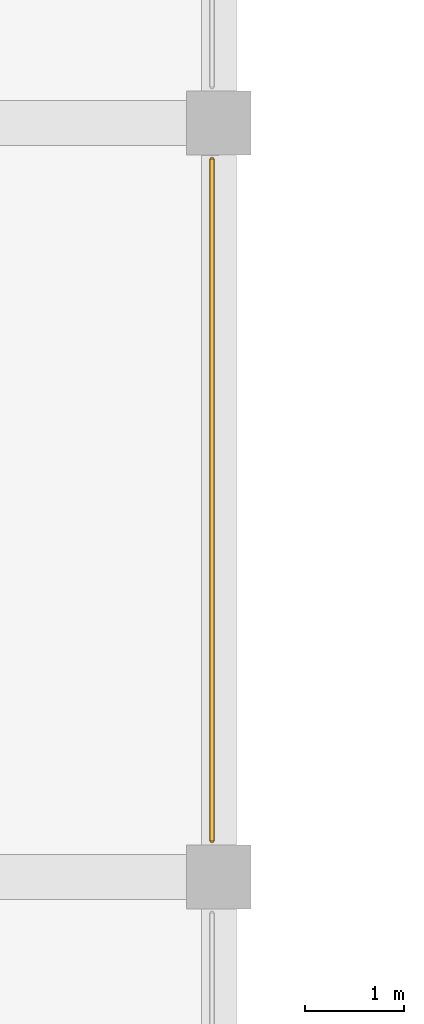
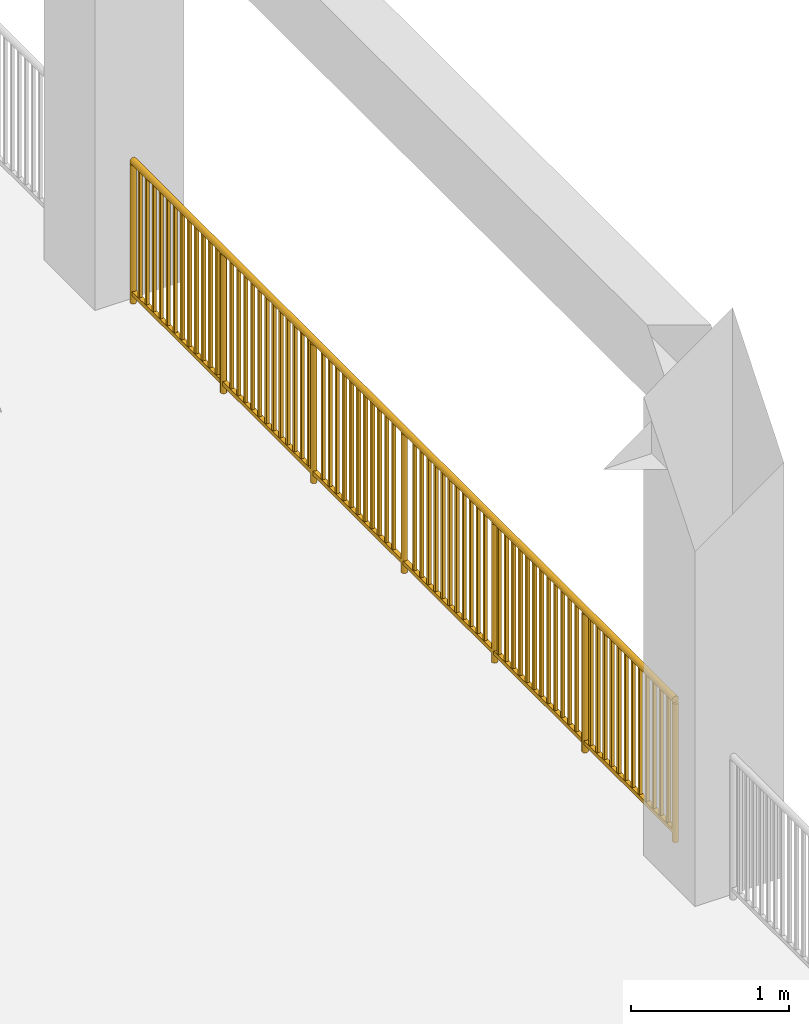
# One storey, part 57 of 63: 1 railing.
"""IFC4 building model written with IfcOpenShell, lengths in metres."""

from ifc_helpers import new_model, si_unit, direction, frame, origin, origin_2d, place, context, subcontext, project, spatial, rectangle, circle, extrude, material, type_object, element, save


model = new_model("IFC4")

# Units and contexts
model_context = context("Model", 3, precision=1e-05, world=origin(), true_north=direction((0.0, 1.0)))
body_context = subcontext(model_context, "Body", "Model", "MODEL_VIEW")
ifc_project = project(units=[si_unit("LENGTHUNIT", "METRE"), si_unit("AREAUNIT", "SQUARE_METRE"), si_unit("VOLUMEUNIT", "CUBIC_METRE"), si_unit("PLANEANGLEUNIT", "RADIAN"), si_unit("MASSUNIT", "GRAM", prefix="KILO")], contexts=[model_context])

# Site, building, storey
site_placement = place(None, origin())
site = spatial("IfcSite", under=ifc_project, at=site_placement, CompositionType="ELEMENT")
building_placement = place(site_placement, origin())
building = spatial("IfcBuilding", under=site, at=building_placement, Name="Zantavel Square City Hall", CompositionType="ELEMENT")
storey_placement = place(building_placement, frame((0.0, 0.0, 14.699951171875)))
storey = spatial("IfcBuildingStorey", under=building, at=storey_placement, Name="L04", CompositionType="ELEMENT", Elevation=14.699951171875)

# Railing
ifc_material = material(Name="Steel ASTM A500 Grade B", Category="steel")
railing_type = type_object("IfcRailingType", Name="Classical Stone & Steel Terrace Balustrade 1100mm", PredefinedType="BALUSTRADE", material=ifc_material)
railing_placement = place(storey_placement, frame((111.929931640625, 45.235107421875, 0.0)))
element("IfcRailing", 1, at=railing_placement, inside=storey, type_object=railing_type, Name="L04 Terrace Balustrade 042", PredefinedType="BALUSTRADE", context=body_context, shape_type="SweptSolid", body=[
    extrude(circle(Radius=0.02392578125, at=origin_2d()), frame((0.0, 0.0, 1.09619140625), z_axis=(0.0, -1.0, 0.0), x_axis=(1.0, 0.0, 0.0)), (0.0, 0.0, 1.0), 6.8701171875),
    extrude(rectangle(XDim=0.031982421875, YDim=0.031982421875, at=origin_2d()), frame((0.0, 0.0, 0.080078125), z_axis=(0.0, -1.0, 0.0), x_axis=(1.0, 0.0, 0.0)), (0.0, 0.0, 1.0), 6.8701171875),
    extrude(rectangle(XDim=0.02197265625, YDim=0.02197265625, at=origin_2d()), frame((0.0, -0.089111328125, 0.080078125)), (0.0, 0.0, 1.0), 0.991943359375),
    extrude(rectangle(XDim=0.02197265625, YDim=0.02197265625, at=origin_2d()), frame((0.0, -0.178466796875, 0.080078125)), (0.0, 0.0, 1.0), 0.991943359375),
    extrude(rectangle(XDim=0.02197265625, YDim=0.02197265625, at=origin_2d()), frame((0.0, -0.267578125, 0.080078125)), (0.0, 0.0, 1.0), 0.991943359375),
    extrude(rectangle(XDim=0.02197265625, YDim=0.02197265625, at=origin_2d()), frame((0.0, -0.35693359375, 0.080078125)), (0.0, 0.0, 1.0), 0.991943359375),
    extrude(rectangle(XDim=0.02197265625, YDim=0.02197265625, at=origin_2d()), frame((0.0, -0.446044921875, 0.080078125)), (0.0, 0.0, 1.0), 0.991943359375),
    extrude(rectangle(XDim=0.02197265625, YDim=0.02197265625, at=origin_2d()), frame((0.0, -0.535400390625, 0.080078125)), (0.0, 0.0, 1.0), 0.991943359375),
    extrude(rectangle(XDim=0.02197265625, YDim=0.02197265625, at=origin_2d()), frame((0.0, -0.62451171875, 0.080078125)), (0.0, 0.0, 1.0), 0.991943359375),
    extrude(rectangle(XDim=0.02197265625, YDim=0.02197265625, at=origin_2d()), frame((0.0, -0.7138671875, 0.080078125)), (0.0, 0.0, 1.0), 0.991943359375),
    extrude(rectangle(XDim=0.02197265625, YDim=0.02197265625, at=origin_2d()), frame((0.0, -0.802978515625, 0.080078125)), (0.0, 0.0, 1.0), 0.991943359375),
    extrude(rectangle(XDim=0.02197265625, YDim=0.02197265625, at=origin_2d()), frame((0.0, -0.892333984375, 0.080078125)), (0.0, 0.0, 1.0), 0.991943359375),
    extrude(rectangle(XDim=0.02197265625, YDim=0.02197265625, at=origin_2d()), frame((0.0, -0.9814453125, 0.080078125)), (0.0, 0.0, 1.0), 0.991943359375),
    extrude(rectangle(XDim=0.02197265625, YDim=0.02197265625, at=origin_2d()), frame((0.0, -1.070556640625, 0.080078125)), (0.0, 0.0, 1.0), 0.991943359375),
    extrude(rectangle(XDim=0.02197265625, YDim=0.02197265625, at=origin_2d()), frame((0.0, -1.2490234375, 0.080078125)), (0.0, 0.0, 1.0), 0.991943359375),
    extrude(rectangle(XDim=0.02197265625, YDim=0.02197265625, at=origin_2d()), frame((0.0, -1.33837890625, 0.080078125)), (0.0, 0.0, 1.0), 0.991943359375),
    extrude(rectangle(XDim=0.02197265625, YDim=0.02197265625, at=origin_2d()), frame((0.0, -1.427490234375, 0.080078125)), (0.0, 0.0, 1.0), 0.991943359375),
    extrude(rectangle(XDim=0.02197265625, YDim=0.02197265625, at=origin_2d()), frame((0.0, -1.516845703125, 0.080078125)), (0.0, 0.0, 1.0), 0.991943359375),
    extrude(rectangle(XDim=0.02197265625, YDim=0.02197265625, at=origin_2d()), frame((0.0, -1.60595703125, 0.080078125)), (0.0, 0.0, 1.0), 0.991943359375),
    extrude(rectangle(XDim=0.02197265625, YDim=0.02197265625, at=origin_2d()), frame((0.0, -1.6953125, 0.080078125)), (0.0, 0.0, 1.0), 0.991943359375),
    extrude(rectangle(XDim=0.02197265625, YDim=0.02197265625, at=origin_2d()), frame((0.0, -1.784423828125, 0.080078125)), (0.0, 0.0, 1.0), 0.991943359375),
    extrude(rectangle(XDim=0.02197265625, YDim=0.02197265625, at=origin_2d()), frame((0.0, -1.873779296875, 0.080078125)), (0.0, 0.0, 1.0), 0.991943359375),
    extrude(rectangle(XDim=0.02197265625, YDim=0.02197265625, at=origin_2d()), frame((0.0, -1.962890625, 0.080078125)), (0.0, 0.0, 1.0), 0.991943359375),
    extrude(rectangle(XDim=0.02197265625, YDim=0.02197265625, at=origin_2d()), frame((0.0, -2.052001953125, 0.080078125)), (0.0, 0.0, 1.0), 0.991943359375),
    extrude(rectangle(XDim=0.02197265625, YDim=0.02197265625, at=origin_2d()), frame((0.0, -2.141357421875, 0.080078125)), (0.0, 0.0, 1.0), 0.991943359375),
    extrude(rectangle(XDim=0.02197265625, YDim=0.02197265625, at=origin_2d()), frame((0.0, -2.23046875, 0.080078125)), (0.0, 0.0, 1.0), 0.991943359375),
    extrude(rectangle(XDim=0.02197265625, YDim=0.02197265625, at=origin_2d()), frame((0.0, -2.408935546875, 0.080078125)), (0.0, 0.0, 1.0), 0.991943359375),
    extrude(rectangle(XDim=0.02197265625, YDim=0.02197265625, at=origin_2d()), frame((0.0, -2.498291015625, 0.080078125)), (0.0, 0.0, 1.0), 0.991943359375),
    extrude(rectangle(XDim=0.02197265625, YDim=0.02197265625, at=origin_2d()), frame((0.0, -2.58740234375, 0.080078125)), (0.0, 0.0, 1.0), 0.991943359375),
    extrude(rectangle(XDim=0.02197265625, YDim=0.02197265625, at=origin_2d()), frame((0.0, -2.6767578125, 0.080078125)), (0.0, 0.0, 1.0), 0.991943359375),
    extrude(rectangle(XDim=0.02197265625, YDim=0.02197265625, at=origin_2d()), frame((0.0, -2.765869140625, 0.080078125)), (0.0, 0.0, 1.0), 0.991943359375),
    extrude(rectangle(XDim=0.02197265625, YDim=0.02197265625, at=origin_2d()), frame((0.0, -2.855224609375, 0.080078125)), (0.0, 0.0, 1.0), 0.991943359375),
    extrude(rectangle(XDim=0.02197265625, YDim=0.02197265625, at=origin_2d()), frame((0.0, -2.9443359375, 0.080078125)), (0.0, 0.0, 1.0), 0.991943359375),
    extrude(rectangle(XDim=0.02197265625, YDim=0.02197265625, at=origin_2d()), frame((0.0, -3.033447265625, 0.080078125)), (0.0, 0.0, 1.0), 0.991943359375),
    extrude(rectangle(XDim=0.02197265625, YDim=0.02197265625, at=origin_2d()), frame((0.0, -3.122802734375, 0.080078125)), (0.0, 0.0, 1.0), 0.991943359375),
    extrude(rectangle(XDim=0.02197265625, YDim=0.02197265625, at=origin_2d()), frame((0.0, -3.2119140625, 0.080078125)), (0.0, 0.0, 1.0), 0.991943359375),
    extrude(rectangle(XDim=0.02197265625, YDim=0.02197265625, at=origin_2d()), frame((0.0, -3.30126953125, 0.080078125)), (0.0, 0.0, 1.0), 0.991943359375),
    extrude(rectangle(XDim=0.02197265625, YDim=0.02197265625, at=origin_2d()), frame((0.0, -3.56884765625, 0.080078125)), (0.0, 0.0, 1.0), 0.991943359375),
    extrude(rectangle(XDim=0.02197265625, YDim=0.02197265625, at=origin_2d()), frame((0.0, -3.658203125, 0.080078125)), (0.0, 0.0, 1.0), 0.991943359375),
    extrude(rectangle(XDim=0.02197265625, YDim=0.02197265625, at=origin_2d()), frame((0.0, -3.747314453125, 0.080078125)), (0.0, 0.0, 1.0), 0.991943359375),
    extrude(rectangle(XDim=0.02197265625, YDim=0.02197265625, at=origin_2d()), frame((0.0, -3.836669921875, 0.080078125)), (0.0, 0.0, 1.0), 0.991943359375),
    extrude(rectangle(XDim=0.02197265625, YDim=0.02197265625, at=origin_2d()), frame((0.0, -3.92578125, 0.080078125)), (0.0, 0.0, 1.0), 0.991943359375),
    extrude(rectangle(XDim=0.02197265625, YDim=0.02197265625, at=origin_2d()), frame((0.0, -4.014892578125, 0.080078125)), (0.0, 0.0, 1.0), 0.991943359375),
    extrude(rectangle(XDim=0.02197265625, YDim=0.02197265625, at=origin_2d()), frame((0.0, -4.104248046875, 0.080078125)), (0.0, 0.0, 1.0), 0.991943359375),
    extrude(rectangle(XDim=0.02197265625, YDim=0.02197265625, at=origin_2d()), frame((0.0, -4.193359375, 0.080078125)), (0.0, 0.0, 1.0), 0.991943359375),
    extrude(rectangle(XDim=0.02197265625, YDim=0.02197265625, at=origin_2d()), frame((0.0, -4.28271484375, 0.080078125)), (0.0, 0.0, 1.0), 0.991943359375),
    extrude(rectangle(XDim=0.02197265625, YDim=0.02197265625, at=origin_2d()), frame((0.0, -4.371826171875, 0.080078125)), (0.0, 0.0, 1.0), 0.991943359375),
    extrude(rectangle(XDim=0.02197265625, YDim=0.02197265625, at=origin_2d()), frame((0.0, -4.461181640625, 0.080078125)), (0.0, 0.0, 1.0), 0.991943359375),
    extrude(rectangle(XDim=0.02197265625, YDim=0.02197265625, at=origin_2d()), frame((0.0, -4.6396484375, 0.080078125)), (0.0, 0.0, 1.0), 0.991943359375),
    extrude(rectangle(XDim=0.02197265625, YDim=0.02197265625, at=origin_2d()), frame((0.0, -4.728759765625, 0.080078125)), (0.0, 0.0, 1.0), 0.991943359375),
    extrude(rectangle(XDim=0.02197265625, YDim=0.02197265625, at=origin_2d()), frame((0.0, -4.818115234375, 0.080078125)), (0.0, 0.0, 1.0), 0.991943359375),
    extrude(rectangle(XDim=0.02197265625, YDim=0.02197265625, at=origin_2d()), frame((0.0, -4.9072265625, 0.080078125)), (0.0, 0.0, 1.0), 0.991943359375),
    extrude(rectangle(XDim=0.02197265625, YDim=0.02197265625, at=origin_2d()), frame((0.0, -4.996337890625, 0.080078125)), (0.0, 0.0, 1.0), 0.991943359375),
    extrude(rectangle(XDim=0.02197265625, YDim=0.02197265625, at=origin_2d()), frame((0.0, -5.085693359375, 0.080078125)), (0.0, 0.0, 1.0), 0.991943359375),
    extrude(rectangle(XDim=0.02197265625, YDim=0.02197265625, at=origin_2d()), frame((0.0, -5.1748046875, 0.080078125)), (0.0, 0.0, 1.0), 0.991943359375),
    extrude(rectangle(XDim=0.02197265625, YDim=0.02197265625, at=origin_2d()), frame((0.0, -5.26416015625, 0.080078125)), (0.0, 0.0, 1.0), 0.991943359375),
    extrude(rectangle(XDim=0.02197265625, YDim=0.02197265625, at=origin_2d()), frame((0.0, -5.353271484375, 0.080078125)), (0.0, 0.0, 1.0), 0.991943359375),
    extrude(rectangle(XDim=0.02197265625, YDim=0.02197265625, at=origin_2d()), frame((0.0, -5.442626953125, 0.080078125)), (0.0, 0.0, 1.0), 0.991943359375),
    extrude(rectangle(XDim=0.02197265625, YDim=0.02197265625, at=origin_2d()), frame((0.0, -5.53173828125, 0.080078125)), (0.0, 0.0, 1.0), 0.991943359375),
    extrude(rectangle(XDim=0.02197265625, YDim=0.02197265625, at=origin_2d()), frame((0.0, -5.62109375, 0.080078125)), (0.0, 0.0, 1.0), 0.991943359375),
    extrude(rectangle(XDim=0.02197265625, YDim=0.02197265625, at=origin_2d()), frame((0.0, -5.799560546875, 0.080078125)), (0.0, 0.0, 1.0), 0.991943359375),
    extrude(rectangle(XDim=0.02197265625, YDim=0.02197265625, at=origin_2d()), frame((0.0, -5.888671875, 0.080078125)), (0.0, 0.0, 1.0), 0.991943359375),
    extrude(rectangle(XDim=0.02197265625, YDim=0.02197265625, at=origin_2d()), frame((0.0, -5.977783203125, 0.080078125)), (0.0, 0.0, 1.0), 0.991943359375),
    extrude(rectangle(XDim=0.02197265625, YDim=0.02197265625, at=origin_2d()), frame((0.0, -6.067138671875, 0.080078125)), (0.0, 0.0, 1.0), 0.991943359375),
    extrude(rectangle(XDim=0.02197265625, YDim=0.02197265625, at=origin_2d()), frame((0.0, -6.15625, 0.080078125)), (0.0, 0.0, 1.0), 0.991943359375),
    extrude(rectangle(XDim=0.02197265625, YDim=0.02197265625, at=origin_2d()), frame((0.0, -6.24560546875, 0.080078125)), (0.0, 0.0, 1.0), 0.991943359375),
    extrude(rectangle(XDim=0.02197265625, YDim=0.02197265625, at=origin_2d()), frame((0.0, -6.334716796875, 0.080078125)), (0.0, 0.0, 1.0), 0.991943359375),
    extrude(rectangle(XDim=0.02197265625, YDim=0.02197265625, at=origin_2d()), frame((0.0, -6.424072265625, 0.080078125)), (0.0, 0.0, 1.0), 0.991943359375),
    extrude(rectangle(XDim=0.02197265625, YDim=0.02197265625, at=origin_2d()), frame((0.0, -6.51318359375, 0.080078125)), (0.0, 0.0, 1.0), 0.991943359375),
    extrude(rectangle(XDim=0.02197265625, YDim=0.02197265625, at=origin_2d()), frame((0.0, -6.6025390625, 0.080078125)), (0.0, 0.0, 1.0), 0.991943359375),
    extrude(rectangle(XDim=0.02197265625, YDim=0.02197265625, at=origin_2d()), frame((0.0, -6.691650390625, 0.080078125)), (0.0, 0.0, 1.0), 0.991943359375),
    extrude(rectangle(XDim=0.02197265625, YDim=0.02197265625, at=origin_2d()), frame((0.0, -6.781005859375, 0.080078125)), (0.0, 0.0, 1.0), 0.991943359375),
    extrude(circle(Radius=0.02099609375, at=origin_2d()), origin(), (0.0, 0.0, 1.0), 1.072021484375),
    extrude(circle(Radius=0.02099609375, at=origin_2d()), frame((0.0, -1.14501953125, 0.0)), (0.0, 0.0, 1.0), 1.072021484375),
    extrude(circle(Radius=0.02099609375, at=origin_2d()), frame((0.0, -2.2900390625, 0.0)), (0.0, 0.0, 1.0), 1.072021484375),
    extrude(circle(Radius=0.02099609375, at=origin_2d()), frame((0.0, -3.43505859375, 0.0)), (0.0, 0.0, 1.0), 1.072021484375),
    extrude(circle(Radius=0.02099609375, at=origin_2d()), frame((0.0, -4.580078125, 0.0)), (0.0, 0.0, 1.0), 1.072021484375),
    extrude(circle(Radius=0.02099609375, at=origin_2d()), frame((0.0, -5.72509765625, 0.0)), (0.0, 0.0, 1.0), 1.072021484375),
    extrude(circle(Radius=0.02099609375, at=origin_2d()), frame((0.0, -6.8701171875, 0.0)), (0.0, 0.0, 1.0), 1.072021484375),
])

save(model, "model.ifc")
